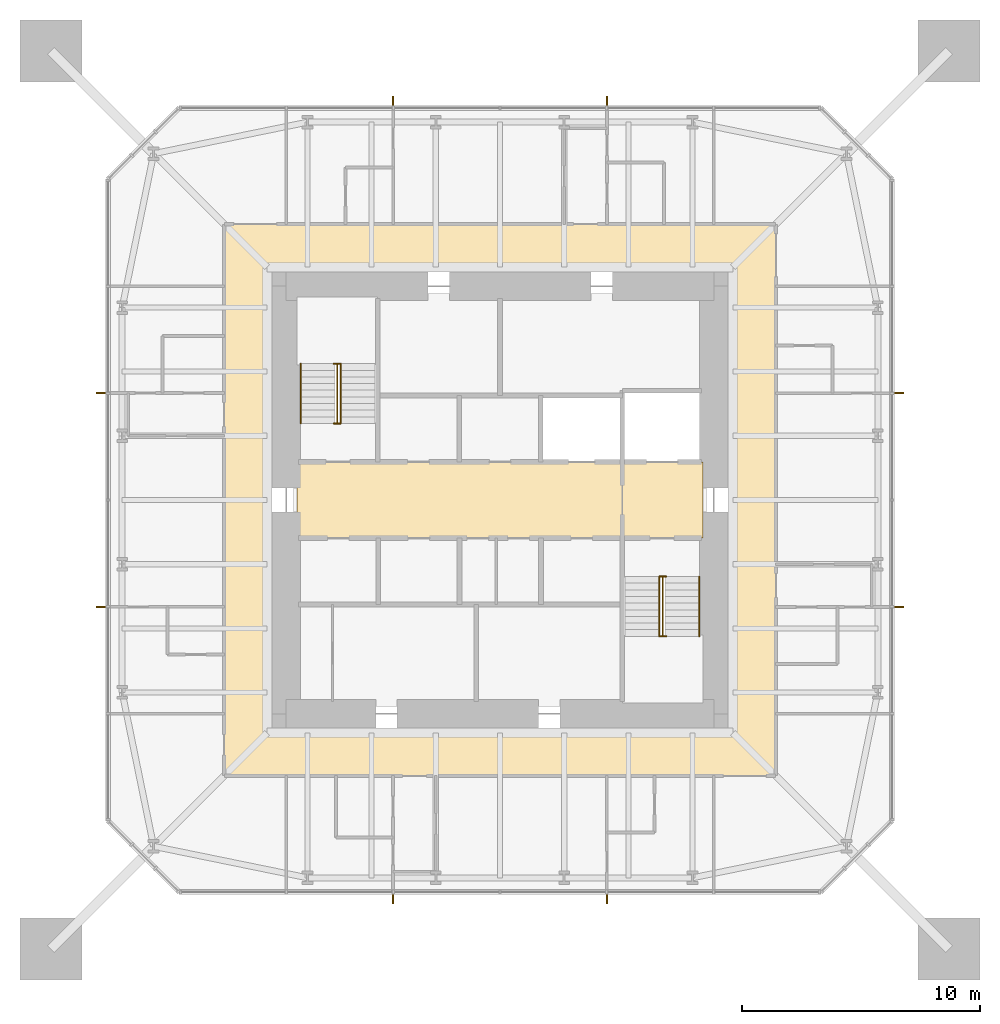
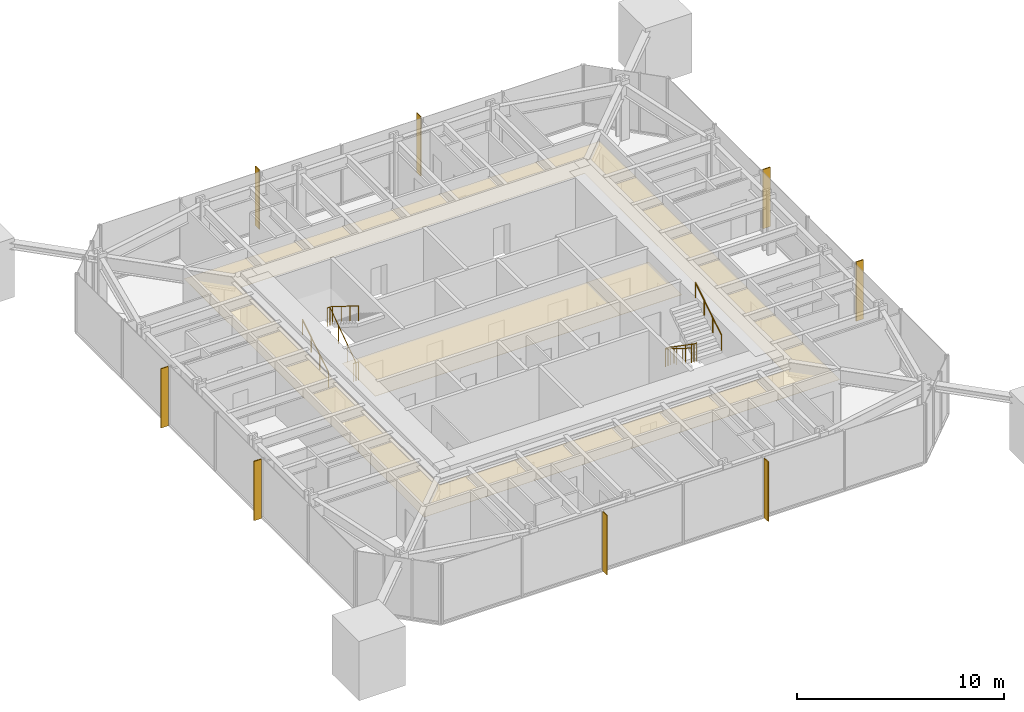
# One storey, part 9 of 9: 8 shading devices, 6 railings, 3 coverings.
"""IFC4 building model written with IfcOpenShell, lengths in metres."""

from ifc_helpers import new_model, si_unit, direction, frame, origin, origin_2d, place, context, subcontext, project, spatial, polyline, rectangle, circle, outline, extrude, material, layer, layer_set, constituent, constituent_set, type_object, element, save


model = new_model("IFC4")

# Units and contexts
model_context = context("Model", 3, precision=1e-05, world=origin(), true_north=direction((0.0, 1.0)))
body_context = subcontext(model_context, "Body", "Model", "MODEL_VIEW")
ifc_project = project(units=[si_unit("LENGTHUNIT", "METRE"), si_unit("AREAUNIT", "SQUARE_METRE"), si_unit("VOLUMEUNIT", "CUBIC_METRE"), si_unit("PLANEANGLEUNIT", "RADIAN"), si_unit("MASSUNIT", "GRAM", prefix="KILO")], contexts=[model_context])

# Site, building, storey
site_placement = place(None, origin())
site = spatial("IfcSite", under=ifc_project, at=site_placement, CompositionType="ELEMENT")
building_placement = place(site_placement, origin())
building = spatial("IfcBuilding", under=site, at=building_placement, Name="Iwan Alto Co-Living Towers", CompositionType="ELEMENT")
storey_placement = place(building_placement, frame((0.0, 0.0, 239.5)))
storey = spatial("IfcBuildingStorey", under=building, at=storey_placement, Name="L65", CompositionType="ELEMENT", Elevation=239.5)

# Coverings
ifc_material_1 = material(Name="Mineral fibre acoustic tiles on steel grid", Category="steel")
ifc_layer_1 = layer(ifc_material_1, 0.02001953125)
ifc_layer_set_1 = layer_set([ifc_layer_1], Name="ACOUSTIC TILE CEILING 20")
covering_type_1 = type_object("IfcCoveringType", Name="ACOUSTIC TILE CEILING 20", PredefinedType="CEILING", material=ifc_layer_set_1)
covering_1_placement = place(storey_placement, frame((0.0, 0.0, 2.60009765625)))
element("IfcCovering", 1, at=covering_1_placement, inside=storey, type_object=covering_type_1, Name="Ceiling Lift lobby L65", PredefinedType="CEILING", context=body_context, shape_type="SweptSolid", body=[
    extrude(outline(polyline([(-8.550048828125, -1.60009765625), (-8.550048828125, 1.60009765625), (5.14990234375, 1.60009765625), (5.14990234375, -1.60009765625), (-8.550048828125, -1.60009765625)])), origin(), (0.0, 0.0, 1.0), 0.02001953125),
])
covering_2_placement = place(storey_placement, frame((0.0, 0.0, 2.60009765625)))
element("IfcCovering", 2, at=covering_2_placement, inside=storey, type_object=covering_type_1, Name="Ceiling Firefighting lobby L65", PredefinedType="CEILING", context=body_context, shape_type="SweptSolid", body=[
    extrude(outline(polyline([(5.14990234375, -1.60009765625), (5.14990234375, 1.60009765625), (8.550048828125, 1.60009765625), (8.550048828125, -1.60009765625), (5.14990234375, -1.60009765625)])), origin(), (0.0, 0.0, 1.0), 0.02001953125),
])

# Shading devices
ifc_material_2 = material(Name="Aluminium 6063-T6 bronze anodised", Category="aluminium")
ifc_layer_2 = layer(ifc_material_2, 0.050048828125)
ifc_layer_set_2 = layer_set([ifc_layer_2], Name="BRONZE FIN 50X400")
shading_device_type = type_object("IfcShadingDeviceType", Name="BRONZE FIN 50X400", PredefinedType="USERDEFINED", material=ifc_layer_set_2)
for number, where, z_axis, x_axis, name in (
    (3, (-4.5, -16.800048828125, 0.0), (0.0, 0.0, 1.0), (1.0, 0.0, 0.0), "Bronze fin L65"),
    (4, (4.5, -16.800048828125, 0.0), (0.0, 0.0, 1.0), (1.0, 0.0, 0.0), "Bronze fin L65"),
    (5, (16.800048828125, -4.5, 0.0), (0.0, 0.0, 1.0), (0.0, 1.0, 0.0), "Bronze fin L65"),
    (6, (16.800048828125, 4.5, 0.0), (0.0, 0.0, 1.0), (0.0, 1.0, 0.0), "Bronze fin L65"),
    (7, (4.5, 16.800048828125, 0.0), (0.0, 0.0, 1.0), (-1.0, 0.0, 0.0), "Bronze fin L65"),
    (8, (-4.5, 16.800048828125, 0.0), (0.0, 0.0, 1.0), (-1.0, 0.0, 0.0), "Bronze fin L65"),
    (9, (-16.800048828125, 4.5, 0.0), (0.0, 0.0, 1.0), (0.0, -1.0, 0.0), "Bronze fin L65"),
    (10, (-16.800048828125, -4.5, 0.0), (0.0, 0.0, 1.0), (0.0, -1.0, 0.0), "Bronze fin L65"),
):
    element("IfcShadingDevice", number, at=place(storey_placement, frame(where, z_axis=z_axis, x_axis=x_axis)), inside=storey, type_object=shading_device_type, Name=name, ObjectType="LOUVER", PredefinedType="USERDEFINED", context=body_context, shape_type="SweptSolid", body=[
        extrude(rectangle(XDim=0.050048828125, YDim=0.39990234375, at=origin_2d()), origin(), (0.0, 0.0, 1.0), 3.5),
    ])

# Railings
ifc_material_3 = material(Name="Steel ASTM A500 Gr C", Category="steel")
ifc_constituent_1 = constituent(ifc_material_3, Name="Rails and posts", Category="Framing")
ifc_material_4 = material(Name="Steel ASTM A36", Category="steel")
ifc_constituent_2 = constituent(ifc_material_4, Name="Bar infill", Category="Infill")
ifc_constituent_set = constituent_set(constituents=[ifc_constituent_1, ifc_constituent_2], Name="STAIR GUARD 1100")
railing_type_1 = type_object("IfcRailingType", Name="STAIR GUARD 1100", PredefinedType="GUARDRAIL", material=ifc_constituent_set)
railing_1_placement = place(storey_placement, frame((-6.85009765625, 3.219970703125, 0.0)))
element("IfcRailing", 11, at=railing_1_placement, inside=storey, type_object=railing_type_1, Name="Stair T1-S1 well guard L65", PredefinedType="GUARDRAIL", context=body_context, shape_type="SweptSolid", body=[
    extrude(circle(Radius=0.02392578125, at=origin_2d()), frame((0.0, 0.0, 1.076171875), z_axis=(0.0, 0.821372036852, 0.570392826987), x_axis=(-1.0, 0.0, 0.0)), (0.0, 0.0, 1.0), 3.068115234375),
    extrude(circle(Radius=0.02392578125, at=origin_2d()), frame((-0.14990234375, 0.0, 1.076171875), z_axis=(1.0, 0.0, 0.0), x_axis=(0.0, 1.0, 0.0)), (0.0, 0.0, 1.0), 0.300048828125),
    extrude(circle(Radius=0.02392578125, at=origin_2d()), frame((-0.14990234375, 2.52001953125, 2.826171875), z_axis=(1.0, 0.0, 0.0), x_axis=(0.0, 1.0, 0.0)), (0.0, 0.0, 1.0), 0.300048828125),
    extrude(circle(Radius=0.02099609375, at=origin_2d()), origin(), (0.0, 0.0, 1.0), 1.052001953125),
    extrude(circle(Radius=0.02099609375, at=origin_2d()), frame((0.0, 0.840087890625, 0.583251953125)), (0.0, 0.0, 1.0), 1.052001953125),
    extrude(circle(Radius=0.02099609375, at=origin_2d()), frame((0.0, 1.679931640625, 1.166748046875)), (0.0, 0.0, 1.0), 1.052001953125),
    extrude(circle(Radius=0.02099609375, at=origin_2d()), frame((0.0, 2.52001953125, 1.75)), (0.0, 0.0, 1.0), 1.052001953125),
    extrude(circle(Radius=0.02099609375, at=origin_2d()), frame((-0.14990234375, 0.0, 0.0)), (0.0, 0.0, 1.0), 1.052001953125),
    extrude(circle(Radius=0.02099609375, at=origin_2d()), frame((0.150146484375, 0.0, 0.0)), (0.0, 0.0, 1.0), 1.052001953125),
    extrude(circle(Radius=0.02099609375, at=origin_2d()), frame((-0.14990234375, 2.52001953125, 1.75)), (0.0, 0.0, 1.0), 1.052001953125),
    extrude(circle(Radius=0.02099609375, at=origin_2d()), frame((0.150146484375, 2.52001953125, 1.75)), (0.0, 0.0, 1.0), 1.052001953125),
])
railing_2_placement = place(storey_placement, frame((6.85009765625, -3.219970703125, 0.0)))
element("IfcRailing", 12, at=railing_2_placement, inside=storey, type_object=railing_type_1, Name="Stair T1-S2 well guard L65", PredefinedType="GUARDRAIL", context=body_context, shape_type="SweptSolid", body=[
    extrude(circle(Radius=0.02392578125, at=origin_2d()), frame((0.0, 0.0, 1.076171875), z_axis=(0.0, -0.821372036852, 0.570392826987), x_axis=(1.0, 0.0, 0.0)), (0.0, 0.0, 1.0), 3.068115234375),
    extrude(circle(Radius=0.02392578125, at=origin_2d()), frame((-0.150146484375, 0.0, 1.076171875), z_axis=(1.0, 0.0, 0.0), x_axis=(0.0, 1.0, 0.0)), (0.0, 0.0, 1.0), 0.300048828125),
    extrude(circle(Radius=0.02392578125, at=origin_2d()), frame((-0.150146484375, -2.52001953125, 2.826171875), z_axis=(1.0, 0.0, 0.0), x_axis=(0.0, 1.0, 0.0)), (0.0, 0.0, 1.0), 0.300048828125),
    extrude(circle(Radius=0.02099609375, at=origin_2d()), origin(), (0.0, 0.0, 1.0), 1.052001953125),
    extrude(circle(Radius=0.02099609375, at=origin_2d()), frame((0.0, -0.840087890625, 0.583251953125)), (0.0, 0.0, 1.0), 1.052001953125),
    extrude(circle(Radius=0.02099609375, at=origin_2d()), frame((0.0, -1.679931640625, 1.166748046875)), (0.0, 0.0, 1.0), 1.052001953125),
    extrude(circle(Radius=0.02099609375, at=origin_2d()), frame((0.0, -2.52001953125, 1.75)), (0.0, 0.0, 1.0), 1.052001953125),
    extrude(circle(Radius=0.02099609375, at=origin_2d()), frame((-0.150146484375, 0.0, 0.0)), (0.0, 0.0, 1.0), 1.052001953125),
    extrude(circle(Radius=0.02099609375, at=origin_2d()), frame((0.14990234375, 0.0, 0.0)), (0.0, 0.0, 1.0), 1.052001953125),
    extrude(circle(Radius=0.02099609375, at=origin_2d()), frame((-0.150146484375, -2.52001953125, 1.75)), (0.0, 0.0, 1.0), 1.052001953125),
    extrude(circle(Radius=0.02099609375, at=origin_2d()), frame((0.14990234375, -2.52001953125, 1.75)), (0.0, 0.0, 1.0), 1.052001953125),
])
ifc_material_5 = material(Name="Steel ASTM A500 Gr C", Category="steel")
railing_type_2 = type_object("IfcRailingType", Name="STAIR HANDRAIL 900", PredefinedType="HANDRAIL", material=ifc_material_5)
railing_3_placement = place(storey_placement, frame((-8.3798828125, 3.219970703125, 0.175048828125)))
element("IfcRailing", 13, at=railing_3_placement, inside=storey, type_object=railing_type_2, Name="Stair T1-S1 handrail 1 L65", PredefinedType="HANDRAIL", context=body_context, shape_type="SweptSolid", body=[
    extrude(circle(Radius=0.02392578125, at=origin_2d()), frame((0.0, 0.0, 0.8759765625), z_axis=(0.0, 0.848007534815, 0.529984170421), x_axis=(-1.0, 0.0, 0.0)), (0.0, 0.0, 1.0), 2.9716796875),
    extrude(circle(Radius=0.02099609375, at=origin_2d()), origin(), (0.0, 0.0, 1.0), 0.851806640625),
    extrude(circle(Radius=0.02099609375, at=origin_2d()), frame((0.0, 0.840087890625, 0.52490234375)), (0.0, 0.0, 1.0), 0.851806640625),
    extrude(circle(Radius=0.02099609375, at=origin_2d()), frame((0.0, 1.679931640625, 1.050048828125)), (0.0, 0.0, 1.0), 0.851806640625),
    extrude(circle(Radius=0.02099609375, at=origin_2d()), frame((0.0, 2.52001953125, 1.574951171875)), (0.0, 0.0, 1.0), 0.851806640625),
])
for number, where, name in (
    (14, (-6.699951171875, 5.739990234375, 1.925048828125), "Stair T1-S1 handrail 2 L65"),
    (15, (6.699951171875, -3.219970703125, 0.175048828125), "Stair T1-S2 handrail 1 L65"),
):
    element("IfcRailing", number, at=place(storey_placement, frame(where)), inside=storey, type_object=railing_type_2, Name=name, PredefinedType="HANDRAIL", context=body_context, shape_type="SweptSolid", body=[
        extrude(circle(Radius=0.02392578125, at=origin_2d()), frame((0.0, 0.0, 0.8759765625), z_axis=(0.0, -0.848007534815, 0.529984170421), x_axis=(1.0, 0.0, 0.0)), (0.0, 0.0, 1.0), 2.9716796875),
        extrude(circle(Radius=0.02099609375, at=origin_2d()), origin(), (0.0, 0.0, 1.0), 0.851806640625),
        extrude(circle(Radius=0.02099609375, at=origin_2d()), frame((0.0, -0.840087890625, 0.52490234375)), (0.0, 0.0, 1.0), 0.851806640625),
        extrude(circle(Radius=0.02099609375, at=origin_2d()), frame((0.0, -1.679931640625, 1.050048828125)), (0.0, 0.0, 1.0), 0.851806640625),
        extrude(circle(Radius=0.02099609375, at=origin_2d()), frame((0.0, -2.52001953125, 1.574951171875)), (0.0, 0.0, 1.0), 0.851806640625),
    ])
railing_4_placement = place(storey_placement, frame((8.3798828125, -5.739990234375, 1.925048828125)))
element("IfcRailing", 16, at=railing_4_placement, inside=storey, type_object=railing_type_2, Name="Stair T1-S2 handrail 2 L65", PredefinedType="HANDRAIL", context=body_context, shape_type="SweptSolid", body=[
    extrude(circle(Radius=0.02392578125, at=origin_2d()), frame((0.0, 0.0, 0.8759765625), z_axis=(0.0, 0.848007534815, 0.529984170421), x_axis=(-1.0, 0.0, 0.0)), (0.0, 0.0, 1.0), 2.9716796875),
    extrude(circle(Radius=0.02099609375, at=origin_2d()), origin(), (0.0, 0.0, 1.0), 0.851806640625),
    extrude(circle(Radius=0.02099609375, at=origin_2d()), frame((0.0, 0.840087890625, 0.52490234375)), (0.0, 0.0, 1.0), 0.851806640625),
    extrude(circle(Radius=0.02099609375, at=origin_2d()), frame((0.0, 1.679931640625, 1.050048828125)), (0.0, 0.0, 1.0), 0.851806640625),
    extrude(circle(Radius=0.02099609375, at=origin_2d()), frame((0.0, 2.52001953125, 1.574951171875)), (0.0, 0.0, 1.0), 0.851806640625),
])

# Covering
ifc_material_6 = material(Name="Gypsum plasterboard on steel grid", Category="steel")
ifc_layer_3 = layer(ifc_material_6, 0.014892578125)
ifc_layer_set_3 = layer_set([ifc_layer_3], Name="SUSPENDED PLASTERBOARD CEILING 15")
covering_type_2 = type_object("IfcCoveringType", Name="SUSPENDED PLASTERBOARD CEILING 15", PredefinedType="CEILING", material=ifc_layer_set_3)
covering_3_placement = place(storey_placement, frame((0.0, 0.0, 2.60009765625)))
element("IfcCovering", 17, at=covering_3_placement, inside=storey, type_object=covering_type_2, Name="Ceiling Corridor L65", PredefinedType="CEILING", context=body_context, shape_type="SweptSolid", body=[
    extrude(outline(polyline([(-11.60009765625, 11.60009765625), (11.60009765625, 11.60009765625), (11.60009765625, -11.60009765625), (-11.60009765625, -11.60009765625), (-11.60009765625, 11.60009765625)]), holes=[polyline([(-9.60009765625, 9.60009765625), (-9.60009765625, -9.60009765625), (9.60009765625, -9.60009765625), (9.60009765625, 9.60009765625), (-9.60009765625, 9.60009765625)])]), origin(), (0.0, 0.0, 1.0), 0.014892578125),
])

save(model, "model.ifc")
